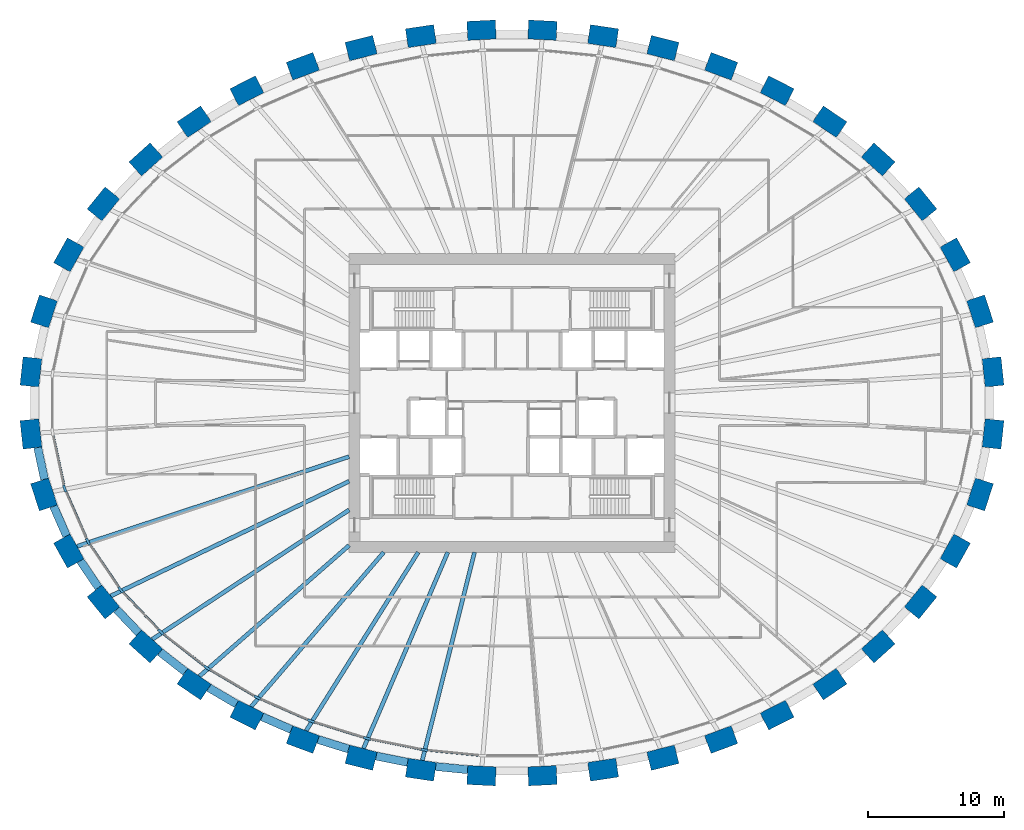
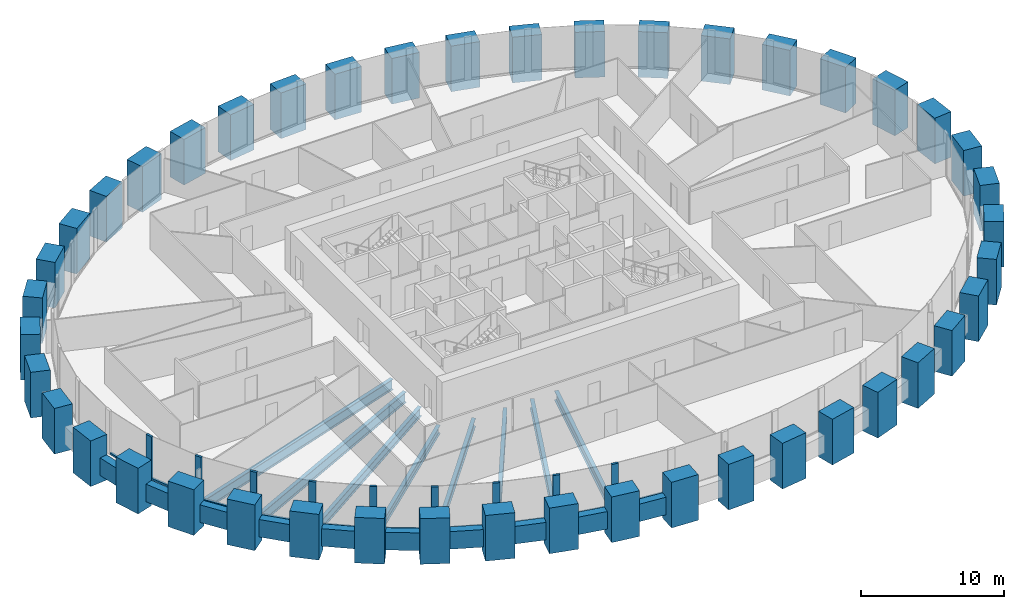
# One storey, part 1 of 11: 44 columns, 19 members, 18 beams, 1 element without a shape of its own.
"""IFC4 building model written with IfcOpenShell, lengths in metres."""

from ifc_helpers import new_model, si_unit, direction, frame, origin, origin_2d, place, context, subcontext, project, spatial, rectangle, i_section, extrude, source, transform, mapped, material, material_profile, profile_set, type_object, element, aggregate, save


model = new_model("IFC4")

# Units and contexts
model_context = context("Model", 3, precision=1e-05, world=origin(), true_north=direction((0.0, 1.0)))
body_context = subcontext(model_context, "Body", "Model", "MODEL_VIEW")
ifc_project = project(units=[si_unit("LENGTHUNIT", "METRE"), si_unit("AREAUNIT", "SQUARE_METRE"), si_unit("VOLUMEUNIT", "CUBIC_METRE"), si_unit("PLANEANGLEUNIT", "RADIAN"), si_unit("MASSUNIT", "GRAM", prefix="KILO")], contexts=[model_context])

# Site, building, storey
site_placement = place(None, origin())
site = spatial("IfcSite", under=ifc_project, at=site_placement, CompositionType="ELEMENT")
building_placement = place(site_placement, origin())
building = spatial("IfcBuilding", under=site, at=building_placement, Name="Embergate Tower", CompositionType="ELEMENT")
storey_placement = place(building_placement, frame((0.0, 0.0, 219.0)))
storey = spatial("IfcBuildingStorey", under=building, at=storey_placement, Name="L50", CompositionType="ELEMENT", Elevation=219.0)

# Columns
ifc_material_1 = material(Name="Concrete C60", Category="concrete")
ifc_material_profile_1 = material_profile(ifc_material_1, rectangle(XDim=1.39990234375, YDim=2.10009765625, at=origin_2d()), Name="RC 1400x2100")
ifc_profile_set_1 = profile_set([ifc_material_profile_1], Name="Concrete C60")
column_type = type_object("IfcColumnType", Name="Ring column RC 1400x2100 C60", PredefinedType="COLUMN", material=ifc_profile_set_1)
shared_shape_1 = source(origin(), body_context, "Body", "SweptSolid", [
    extrude(rectangle(XDim=1.39990234375, YDim=2.10009765625, at=origin_2d()), origin(), (0.0, 0.0, 1.0), 3.89990234375),
])
for number, where, z_axis, x_axis, name in (
    (1, (35.43701171875, 2.281982421875, -1.39990234375), (0.0, 0.0, 1.0), (0.99428589498, 0.106749983816, 0.0), "COL-L50-00"),
    (2, (34.47802734375, 6.739013671875, -1.39990234375), (0.0, 0.0, 1.0), (0.950754033697, 0.309946394413, 0.0), "COL-L50-01"),
    (3, (32.64990234375, 10.906982421875, -1.39990234375), (0.0, 0.0, 1.0), (0.873500465855, 0.486823311018, 0.0), "COL-L50-02"),
    (4, (30.097900390625, 14.659912109375, -1.39990234375), (0.0, 0.0, 1.0), (0.775925311702, 0.630824786022, 0.0), "COL-L50-03"),
    (5, (26.97509765625, 17.93603515625, -1.39990234375), (0.0, 0.0, 1.0), (0.669221393633, 0.743063070206, 0.0), "COL-L50-04"),
    (6, (23.4150390625, 20.714111328125, -1.39990234375), (0.0, 0.0, 1.0), (0.560393279442, 0.828226643109, 0.0), "COL-L50-05"),
    (7, (19.530029296875, 22.998046875, -1.39990234375), (0.0, 0.0, 1.0), (0.453010512651, 0.891505174089, 0.0), "COL-L50-06"),
    (8, (15.407958984375, 24.801025390625, -1.39990234375), (0.0, 0.0, 1.0), (0.348343015724, 0.93736713373, 0.0), "COL-L50-07"),
    (9, (11.115966796875, 26.137939453125, -1.39990234375), (0.0, 0.0, 1.0), (0.24650851817, 0.969140624713, 0.0), "COL-L50-08"),
    (10, (6.7119140625, 27.02099609375, -1.39990234375), (0.0, 0.0, 1.0), (0.146929011949, 0.989147039346, 0.0), "COL-L50-09"),
    (11, (2.243896484375, 27.4599609375, -1.39990234375), (0.0, 0.0, 1.0), (0.048814904854, 0.998807841912, 0.0), "COL-L50-10"),
    (12, (-2.243896484375, 27.4599609375, -1.39990234375), (0.0, 0.0, 1.0), (-0.048814904854, 0.998807841912, 0.0), "COL-L50-11"),
    (13, (-6.7119140625, 27.02099609375, -1.39990234375), (0.0, 0.0, 1.0), (-0.146929011949, 0.989147039346, 0.0), "COL-L50-12"),
    (14, (-11.115966796875, 26.137939453125, -1.39990234375), (0.0, 0.0, 1.0), (-0.24650851817, 0.969140624713, 0.0), "COL-L50-13"),
    (15, (-15.407958984375, 24.801025390625, -1.39990234375), (0.0, 0.0, 1.0), (-0.348343015724, 0.93736713373, 0.0), "COL-L50-14"),
    (16, (-19.530029296875, 22.998046875, -1.39990234375), (0.0, 0.0, 1.0), (-0.453010512651, 0.891505174089, 0.0), "COL-L50-15"),
    (17, (-23.4150390625, 20.714111328125, -1.39990234375), (0.0, 0.0, 1.0), (-0.560393279442, 0.828226643109, 0.0), "COL-L50-16"),
    (18, (-26.97509765625, 17.93603515625, -1.39990234375), (0.0, 0.0, 1.0), (-0.669221393633, 0.743063070206, 0.0), "COL-L50-17"),
    (19, (-30.097900390625, 14.659912109375, -1.39990234375), (0.0, 0.0, 1.0), (-0.775925311702, 0.630824786022, 0.0), "COL-L50-18"),
    (20, (-32.64990234375, 10.906982421875, -1.39990234375), (0.0, 0.0, 1.0), (-0.873500465855, 0.486823311018, 0.0), "COL-L50-19"),
    (21, (-34.47802734375, 6.739013671875, -1.39990234375), (0.0, 0.0, 1.0), (-0.950754033697, 0.309946394413, 0.0), "COL-L50-20"),
    (22, (-35.43701171875, 2.281982421875, -1.39990234375), (0.0, 0.0, 1.0), (-0.99428589498, 0.106749983816, 0.0), "COL-L50-21"),
    (23, (-35.43701171875, -2.281982421875, -1.39990234375), (0.0, 0.0, 1.0), (-0.99428589498, -0.106749983816, 0.0), "COL-L50-22"),
    (24, (-34.47802734375, -6.739013671875, -1.39990234375), (0.0, 0.0, 1.0), (-0.950754033697, -0.309946394413, 0.0), "COL-L50-23"),
    (25, (-32.64990234375, -10.906982421875, -1.39990234375), (0.0, 0.0, 1.0), (-0.873500465855, -0.486823311018, 0.0), "COL-L50-24"),
    (26, (-30.097900390625, -14.659912109375, -1.39990234375), (0.0, 0.0, 1.0), (-0.775925311702, -0.630824786022, 0.0), "COL-L50-25"),
    (27, (-26.97509765625, -17.93603515625, -1.39990234375), (0.0, 0.0, 1.0), (-0.669221393633, -0.743063070206, 0.0), "COL-L50-26"),
    (28, (-23.4150390625, -20.714111328125, -1.39990234375), (0.0, 0.0, 1.0), (-0.560393279442, -0.828226643109, 0.0), "COL-L50-27"),
    (29, (-19.530029296875, -22.998046875, -1.39990234375), (0.0, 0.0, 1.0), (-0.453010512651, -0.891505174089, 0.0), "COL-L50-28"),
    (30, (-15.407958984375, -24.801025390625, -1.39990234375), (0.0, 0.0, 1.0), (-0.348343015724, -0.93736713373, 0.0), "COL-L50-29"),
    (31, (-11.115966796875, -26.137939453125, -1.39990234375), (0.0, 0.0, 1.0), (-0.24650851817, -0.969140624713, 0.0), "COL-L50-30"),
    (32, (-6.7119140625, -27.02099609375, -1.39990234375), (0.0, 0.0, 1.0), (-0.146929011949, -0.989147039346, 0.0), "COL-L50-31"),
    (33, (-2.243896484375, -27.4599609375, -1.39990234375), (0.0, 0.0, 1.0), (-0.048814904854, -0.998807841912, 0.0), "COL-L50-32"),
    (34, (2.243896484375, -27.4599609375, -1.39990234375), (0.0, 0.0, 1.0), (0.048814904854, -0.998807841912, 0.0), "COL-L50-33"),
    (35, (6.7119140625, -27.02099609375, -1.39990234375), (0.0, 0.0, 1.0), (0.146929011949, -0.989147039346, 0.0), "COL-L50-34"),
    (36, (11.115966796875, -26.137939453125, -1.39990234375), (0.0, 0.0, 1.0), (0.24650851817, -0.969140624713, 0.0), "COL-L50-35"),
    (37, (15.407958984375, -24.801025390625, -1.39990234375), (0.0, 0.0, 1.0), (0.348343015724, -0.93736713373, 0.0), "COL-L50-36"),
    (38, (19.530029296875, -22.998046875, -1.39990234375), (0.0, 0.0, 1.0), (0.453010512651, -0.891505174089, 0.0), "COL-L50-37"),
    (39, (23.4150390625, -20.714111328125, -1.39990234375), (0.0, 0.0, 1.0), (0.560393279442, -0.828226643109, 0.0), "COL-L50-38"),
    (40, (26.97509765625, -17.93603515625, -1.39990234375), (0.0, 0.0, 1.0), (0.669221393633, -0.743063070206, 0.0), "COL-L50-39"),
    (41, (30.097900390625, -14.659912109375, -1.39990234375), (0.0, 0.0, 1.0), (0.775925311702, -0.630824786022, 0.0), "COL-L50-40"),
    (42, (32.64990234375, -10.906982421875, -1.39990234375), (0.0, 0.0, 1.0), (0.873500465855, -0.486823311018, 0.0), "COL-L50-41"),
    (43, (34.47802734375, -6.739013671875, -1.39990234375), (0.0, 0.0, 1.0), (0.950754033697, -0.309946394413, 0.0), "COL-L50-42"),
    (44, (35.43701171875, -2.281982421875, -1.39990234375), (0.0, 0.0, 1.0), (0.99428589498, -0.106749983816, 0.0), "COL-L50-43"),
):
    element("IfcColumn", number, at=place(storey_placement, frame(where, z_axis=z_axis, x_axis=x_axis)), inside=storey, type_object=column_type, Name=name, PredefinedType="COLUMN", context=body_context, shape_type="MappedRepresentation", body=[
        mapped(shared_shape_1, transform((0.0, 0.0, 0.0))),
    ])

# Beams
ifc_material_profile_2 = material_profile(ifc_material_1, rectangle(XDim=0.60009765625, YDim=1.5, at=origin_2d()), Name="RC 600x1500")
ifc_profile_set_2 = profile_set([ifc_material_profile_2], Name="Concrete C60")
beam_type_1 = type_object("IfcBeamType", Name="Spandrel beam RC 600x1500 C60", PredefinedType="BEAM", material=ifc_profile_set_2)
shared_shape_2 = source(origin(), body_context, "Body", "SweptSolid", [
    extrude(rectangle(XDim=0.60009765625, YDim=1.5, at=origin_2d()), origin(), (0.0, 0.0, 1.0), 2.3896484375),
])
beam_1_placement = place(storey_placement, frame((-34.93896484375, -3.284912109375, 0.0), z_axis=(0.21045693854, -0.977603128586, 0.0), x_axis=(0.977603128586, 0.21045693854, 0.0)))
element("IfcBeam", 45, at=beam_1_placement, inside=storey, type_object=beam_type_1, Name="SPN-L50-22", PredefinedType="BEAM", context=body_context, shape_type="MappedRepresentation", body=[
    mapped(shared_shape_2, transform((0.0, 0.0, 0.0))),
])
shared_shape_3 = source(origin(), body_context, "Body", "SweptSolid", [
    extrude(rectangle(XDim=0.60009765625, YDim=1.5, at=origin_2d()), origin(), (0.0, 0.0, 1.0), 2.3837890625),
])
beam_2_placement = place(storey_placement, frame((-33.77099609375, -7.613037109375, 0.0), z_axis=(0.401876968148, -0.915693672836, 0.0), x_axis=(0.915693672836, 0.401876968148, 0.0)))
element("IfcBeam", 46, at=beam_2_placement, inside=storey, type_object=beam_type_1, Name="SPN-L50-23", PredefinedType="BEAM", context=body_context, shape_type="MappedRepresentation", body=[
    mapped(shared_shape_3, transform((0.0, 0.0, 0.0))),
])
shared_shape_4 = source(origin(), body_context, "Body", "SweptSolid", [
    extrude(rectangle(XDim=0.60009765625, YDim=1.5, at=origin_2d()), origin(), (0.0, 0.0, 1.0), 2.379150390625),
])
beam_3_placement = place(storey_placement, frame((-31.797119140625, -11.633056640625, 0.0), z_axis=(0.562467199194, -0.826819599327, 0.0), x_axis=(0.826819599327, 0.562467199194, 0.0)))
element("IfcBeam", 47, at=beam_3_placement, inside=storey, type_object=beam_type_1, Name="SPN-L50-24", PredefinedType="BEAM", context=body_context, shape_type="MappedRepresentation", body=[
    mapped(shared_shape_4, transform((0.0, 0.0, 0.0))),
])
shared_shape_5 = source(origin(), body_context, "Body", "SweptSolid", [
    extrude(rectangle(XDim=0.60009765625, YDim=1.5, at=origin_2d()), origin(), (0.0, 0.0, 1.0), 2.370849609375),
])
beam_4_placement = place(storey_placement, frame((-29.1240234375, -15.220947265625, 0.0), z_axis=(0.690017631866, -0.723792558482, 0.0), x_axis=(0.723792558482, 0.690017631866, 0.0)))
element("IfcBeam", 48, at=beam_4_placement, inside=storey, type_object=beam_type_1, Name="SPN-L50-25", PredefinedType="BEAM", context=body_context, shape_type="MappedRepresentation", body=[
    mapped(shared_shape_5, transform((0.0, 0.0, 0.0))),
])
shared_shape_6 = source(origin(), body_context, "Body", "SweptSolid", [
    extrude(rectangle(XDim=0.60009765625, YDim=1.5, at=origin_2d()), origin(), (0.0, 0.0, 1.0), 2.366943359375),
])
beam_5_placement = place(storey_placement, frame((-25.931884765625, -18.345947265625, 0.0), z_axis=(0.788379233054, -0.615189552, 0.0), x_axis=(0.615189552, 0.788379233054, 0.0)))
element("IfcBeam", 49, at=beam_5_placement, inside=storey, type_object=beam_type_1, Name="SPN-L50-26", PredefinedType="BEAM", context=body_context, shape_type="MappedRepresentation", body=[
    mapped(shared_shape_6, transform((0.0, 0.0, 0.0))),
])
shared_shape_7 = source(origin(), body_context, "Body", "SweptSolid", [
    extrude(rectangle(XDim=0.60009765625, YDim=1.5, at=origin_2d()), origin(), (0.0, 0.0, 1.0), 2.36279296875),
])
beam_6_placement = place(storey_placement, frame((-22.3291015625, -20.98291015625, 0.0), z_axis=(0.862170527893, -0.50661818052, 0.0), x_axis=(0.50661818052, 0.862170527893, 0.0)))
element("IfcBeam", 50, at=beam_6_placement, inside=storey, type_object=beam_type_1, Name="SPN-L50-27", PredefinedType="BEAM", context=body_context, shape_type="MappedRepresentation", body=[
    mapped(shared_shape_7, transform((0.0, 0.0, 0.0))),
])
shared_shape_8 = source(origin(), body_context, "Body", "SweptSolid", [
    extrude(rectangle(XDim=0.60009765625, YDim=1.5, at=origin_2d()), origin(), (0.0, 0.0, 1.0), 2.357421875),
])
beam_7_placement = place(storey_placement, frame((-18.4130859375, -23.116943359375, 0.0), z_axis=(0.91630938503, -0.400471111201, 0.0), x_axis=(0.400471111201, 0.91630938503, 0.0)))
element("IfcBeam", 51, at=beam_7_placement, inside=storey, type_object=beam_type_1, Name="SPN-L50-28", PredefinedType="BEAM", context=body_context, shape_type="MappedRepresentation", body=[
    mapped(shared_shape_8, transform((0.0, 0.0, 0.0))),
])
shared_shape_9 = source(origin(), body_context, "Body", "SweptSolid", [
    extrude(rectangle(XDim=0.60009765625, YDim=1.5, at=origin_2d()), origin(), (0.0, 0.0, 1.0), 2.3564453125),
])
beam_8_placement = place(storey_placement, frame((-14.285888671875, -24.7958984375, 0.0), z_axis=(0.95483326256, -0.297142122073, 0.0), x_axis=(0.297142122073, 0.95483326256, 0.0)))
element("IfcBeam", 52, at=beam_8_placement, inside=storey, type_object=beam_type_1, Name="SPN-L50-29", PredefinedType="BEAM", context=body_context, shape_type="MappedRepresentation", body=[
    mapped(shared_shape_9, transform((0.0, 0.0, 0.0))),
])
shared_shape_10 = source(origin(), body_context, "Body", "SweptSolid", [
    extrude(rectangle(XDim=0.60009765625, YDim=1.5, at=origin_2d()), origin(), (0.0, 0.0, 1.0), 2.353515625),
])
beam_9_placement = place(storey_placement, frame((-10.0009765625, -26.01611328125, 0.0), z_axis=(0.980552738639, -0.196255768698, 0.0), x_axis=(0.196255768698, 0.980552738639, 0.0)))
element("IfcBeam", 53, at=beam_9_placement, inside=storey, type_object=beam_type_1, Name="SPN-L50-30", PredefinedType="BEAM", context=body_context, shape_type="MappedRepresentation", body=[
    mapped(shared_shape_10, transform((0.0, 0.0, 0.0))),
])
shared_shape_11 = source(origin(), body_context, "Body", "SweptSolid", [
    extrude(rectangle(XDim=0.60009765625, YDim=1.5, at=origin_2d()), origin(), (0.0, 0.0, 1.0), 2.353271484375),
])
beam_10_placement = place(storey_placement, frame((-5.615966796875, -26.7880859375, 0.0), z_axis=(0.99521330308, -0.097726564318, 0.0), x_axis=(0.097726564318, 0.99521330308, 0.0)))
element("IfcBeam", 54, at=beam_10_placement, inside=storey, type_object=beam_type_1, Name="SPN-L50-31", PredefinedType="BEAM", context=body_context, shape_type="MappedRepresentation", body=[
    mapped(shared_shape_11, transform((0.0, 0.0, 0.0))),
])
ifc_material_2 = material(Name="Steel Q355B", Category="steel")
ifc_material_profile_3 = material_profile(ifc_material_2, i_section(OverallWidth=0.300048828125, OverallDepth=0.89990234375, WebThickness=0.01611328125, FlangeThickness=0.028076171875, FilletRadius=0.028076171875, at=origin_2d()), Name="HN 900x300x16x28")
ifc_profile_set_3 = profile_set([ifc_material_profile_3], Name="Steel Q355 grade B")
beam_type_2 = type_object("IfcBeamType", Name="Radial girder HN 900x300x16x28", PredefinedType="BEAM", material=ifc_profile_set_3)
shared_shape_12 = source(origin(), body_context, "Body", "SweptSolid", [
    extrude(i_section(OverallWidth=0.300048828125, OverallDepth=0.89990234375, WebThickness=0.01611328125, FlangeThickness=0.028076171875, FilletRadius=0.028076171875, at=origin_2d()), origin(), (0.0, 0.0, 1.0), 21.100341796875),
])
beam_11_placement = place(storey_placement, frame((-32.0390625, -10.56591796875, -0.64990234375), z_axis=(0.949698867802, 0.313164590106, 0.0), x_axis=(-0.313164590106, 0.949698867802, 0.0)))
element("IfcBeam", 55, at=beam_11_placement, inside=storey, type_object=beam_type_2, Name="GIR-L50-24", PredefinedType="BEAM", context=body_context, shape_type="MappedRepresentation", body=[
    mapped(shared_shape_12, transform((0.0, 0.0, 0.0))),
])
shared_shape_13 = source(origin(), body_context, "Body", "SweptSolid", [
    extrude(i_section(OverallWidth=0.300048828125, OverallDepth=0.89990234375, WebThickness=0.01611328125, FlangeThickness=0.028076171875, FilletRadius=0.028076171875, at=origin_2d()), origin(), (0.0, 0.0, 1.0), 19.480712890625),
])
beam_12_placement = place(storey_placement, frame((-29.554931640625, -14.218017578125, -0.64990234375), z_axis=(0.901148212086, 0.433511130023, 0.0), x_axis=(-0.433511130023, 0.901148212086, 0.0)))
element("IfcBeam", 56, at=beam_12_placement, inside=storey, type_object=beam_type_2, Name="GIR-L50-25", PredefinedType="BEAM", context=body_context, shape_type="MappedRepresentation", body=[
    mapped(shared_shape_13, transform((0.0, 0.0, 0.0))),
])
ifc_material_profile_4 = material_profile(ifc_material_2, i_section(OverallWidth=0.300048828125, OverallDepth=0.800048828125, WebThickness=0.013916015625, FlangeThickness=0.02587890625, FilletRadius=0.028076171875, at=origin_2d()), Name="HN 800x300x14x26")
ifc_profile_set_4 = profile_set([ifc_material_profile_4], Name="Steel Q355 grade B")
beam_type_3 = type_object("IfcBeamType", Name="Radial girder HN 800x300x14x26", PredefinedType="BEAM", material=ifc_profile_set_4)
shared_shape_14 = source(origin(), body_context, "Body", "SweptSolid", [
    extrude(i_section(OverallWidth=0.300048828125, OverallDepth=0.800048828125, WebThickness=0.013916015625, FlangeThickness=0.02587890625, FilletRadius=0.028076171875, at=origin_2d()), origin(), (0.0, 0.0, 1.0), 17.3583984375),
])
beam_13_placement = place(storey_placement, frame((-26.507080078125, -17.416015625, -0.60009765625), z_axis=(0.835738306524, 0.549127929547, 0.0), x_axis=(-0.549127929547, 0.835738306524, 0.0)))
element("IfcBeam", 57, at=beam_13_placement, inside=storey, type_object=beam_type_3, Name="GIR-L50-26", PredefinedType="BEAM", context=body_context, shape_type="MappedRepresentation", body=[
    mapped(shared_shape_14, transform((0.0, 0.0, 0.0))),
])
ifc_material_profile_5 = material_profile(ifc_material_2, i_section(OverallWidth=0.300048828125, OverallDepth=0.699951171875, WebThickness=0.012939453125, FlangeThickness=0.02392578125, FilletRadius=0.01806640625, at=origin_2d()), Name="HN 700x300x13x24")
ifc_profile_set_5 = profile_set([ifc_material_profile_5], Name="Steel Q355 grade B")
beam_type_4 = type_object("IfcBeamType", Name="Radial girder HN 700x300x13x24", PredefinedType="BEAM", material=ifc_profile_set_5)
shared_shape_15 = source(origin(), body_context, "Body", "SweptSolid", [
    extrude(i_section(OverallWidth=0.300048828125, OverallDepth=0.699951171875, WebThickness=0.012939453125, FlangeThickness=0.02392578125, FilletRadius=0.01806640625, at=origin_2d()), origin(), (0.0, 0.0, 1.0), 14.643798828125),
])
beam_14_placement = place(storey_placement, frame((-23.02294921875, -20.134033203125, -0.550048828125), z_axis=(0.752743981282, 0.658313374195, 0.0), x_axis=(-0.658313374195, 0.752743981282, 0.0)))
element("IfcBeam", 58, at=beam_14_placement, inside=storey, type_object=beam_type_4, Name="GIR-L50-27", PredefinedType="BEAM", context=body_context, shape_type="MappedRepresentation", body=[
    mapped(shared_shape_15, transform((0.0, 0.0, 0.0))),
])
shared_shape_16 = source(origin(), body_context, "Body", "SweptSolid", [
    extrude(i_section(OverallWidth=0.300048828125, OverallDepth=0.699951171875, WebThickness=0.012939453125, FlangeThickness=0.02392578125, FilletRadius=0.01806640625, at=origin_2d()), origin(), (0.0, 0.0, 1.0), 14.991943359375),
])
beam_15_placement = place(storey_placement, frame((-19.212890625, -22.3740234375, -0.550048828125), z_axis=(0.651471048315, 0.758673495785, 0.0), x_axis=(-0.758673495785, 0.651471048315, 0.0)))
element("IfcBeam", 59, at=beam_15_placement, inside=storey, type_object=beam_type_4, Name="GIR-L50-28", PredefinedType="BEAM", context=body_context, shape_type="MappedRepresentation", body=[
    mapped(shared_shape_16, transform((0.0, 0.0, 0.0))),
])
shared_shape_17 = source(origin(), body_context, "Body", "SweptSolid", [
    extrude(i_section(OverallWidth=0.300048828125, OverallDepth=0.800048828125, WebThickness=0.013916015625, FlangeThickness=0.02587890625, FilletRadius=0.028076171875, at=origin_2d()), origin(), (0.0, 0.0, 1.0), 15.522216796875),
])
beam_16_placement = place(storey_placement, frame((-15.1640625, -24.14501953125, -0.60009765625), z_axis=(0.531827158809, 0.846852922976, 0.0), x_axis=(-0.846852922976, 0.531827158809, 0.0)))
element("IfcBeam", 60, at=beam_16_placement, inside=storey, type_object=beam_type_3, Name="GIR-L50-29", PredefinedType="BEAM", context=body_context, shape_type="MappedRepresentation", body=[
    mapped(shared_shape_17, transform((0.0, 0.0, 0.0))),
])
shared_shape_18 = source(origin(), body_context, "Body", "SweptSolid", [
    extrude(i_section(OverallWidth=0.300048828125, OverallDepth=0.800048828125, WebThickness=0.013916015625, FlangeThickness=0.02587890625, FilletRadius=0.028076171875, at=origin_2d()), origin(), (0.0, 0.0, 1.0), 15.739013671875),
])
beam_17_placement = place(storey_placement, frame((-10.943115234375, -25.4599609375, -0.60009765625), z_axis=(0.394883218824, 0.918731322799, 0.0), x_axis=(-0.918731322799, 0.394883218824, 0.0)))
element("IfcBeam", 61, at=beam_17_placement, inside=storey, type_object=beam_type_3, Name="GIR-L50-30", PredefinedType="BEAM", context=body_context, shape_type="MappedRepresentation", body=[
    mapped(shared_shape_18, transform((0.0, 0.0, 0.0))),
])
shared_shape_19 = source(origin(), body_context, "Body", "SweptSolid", [
    extrude(i_section(OverallWidth=0.300048828125, OverallDepth=0.800048828125, WebThickness=0.013916015625, FlangeThickness=0.02587890625, FilletRadius=0.028076171875, at=origin_2d()), origin(), (0.0, 0.0, 1.0), 15.8046875),
])
beam_18_placement = place(storey_placement, frame((-6.60888671875, -26.3291015625, -0.60009765625), z_axis=(0.243465990326, 0.969909434718, 0.0), x_axis=(-0.969909434718, 0.243465990326, 0.0)))
element("IfcBeam", 62, at=beam_18_placement, inside=storey, type_object=beam_type_3, Name="GIR-L50-31", PredefinedType="BEAM", context=body_context, shape_type="MappedRepresentation", body=[
    mapped(shared_shape_19, transform((0.0, 0.0, 0.0))),
])

# Curtain wall, members
ifc_material_3 = material(Name="Aluminium and glass", Category="aluminium")
curtain_wall_type = type_object("IfcCurtainWallType", Name="Recessed office glazing", PredefinedType="NOTDEFINED", material=ifc_material_3)
curtain_wall_placement = place(storey_placement, origin())
curtain_wall = element("IfcCurtainWall", 63, at=curtain_wall_placement, inside=storey, type_object=curtain_wall_type, Name="Recessed office glazing ring", ObjectType="RECESSED OFFICE GLAZING", PredefinedType="USERDEFINED")
ifc_material_4 = material(Name="Aluminium, thermally broken", Category="aluminium")
ifc_material_profile_6 = material_profile(ifc_material_4, rectangle(XDim=0.179931640625, YDim=0.52001953125, at=origin_2d()), Name="AL 520x180")
ifc_profile_set_6 = profile_set([ifc_material_profile_6], Name="Aluminium, thermally broken")
member_type_1 = type_object("IfcMemberType", Name="Office mullion", PredefinedType="MULLION", material=ifc_profile_set_6)
shared_shape_20 = source(origin(), body_context, "Body", "SweptSolid", [
    extrude(rectangle(XDim=0.179931640625, YDim=0.52001953125, at=origin_2d()), origin(), (0.0, 0.0, 1.0), 3.699951171875),
])
member_1_placement = place(storey_placement, frame((-32.953369140625, -6.307373046875, 0.0), z_axis=(0.0, 0.0, 1.0), x_axis=(0.951497261031, 0.307657215503, 0.0)))
member_1 = element("IfcMember", 64, at=member_1_placement, type_object=member_type_1, Name="CW mullion 24", PredefinedType="MULLION", context=body_context, shape_type="MappedRepresentation", body=[
    mapped(shared_shape_20, transform((0.0, 0.0, 0.0))),
])
member_2_placement = place(storey_placement, frame((-31.23583984375, -10.2236328125, 0.0), z_axis=(0.0, 0.0, 1.0), x_axis=(0.875001050883, 0.484121018914, 0.0)))
member_2 = element("IfcMember", 65, at=member_2_placement, type_object=member_type_1, Name="CW mullion 25", PredefinedType="MULLION", context=body_context, shape_type="MappedRepresentation", body=[
    mapped(shared_shape_20, transform((0.0, 0.0, 0.0))),
])
member_3_placement = place(storey_placement, frame((-28.826171875, -13.76708984375, 0.0), z_axis=(0.0, 0.0, 1.0), x_axis=(0.777872564355, 0.628422050555, 0.0)))
member_3 = element("IfcMember", 66, at=member_3_placement, type_object=member_type_1, Name="CW mullion 26", PredefinedType="MULLION", context=body_context, shape_type="MappedRepresentation", body=[
    mapped(shared_shape_20, transform((0.0, 0.0, 0.0))),
])
member_4_placement = place(storey_placement, frame((-25.86279296875, -16.87451171875, 0.0), z_axis=(0.0, 0.0, 1.0), x_axis=(0.671227827685, 0.741251106806, 0.0)))
member_4 = element("IfcMember", 67, at=member_4_placement, type_object=member_type_1, Name="CW mullion 27", PredefinedType="MULLION", context=body_context, shape_type="MappedRepresentation", body=[
    mapped(shared_shape_20, transform((0.0, 0.0, 0.0))),
])
member_5_placement = place(storey_placement, frame((-22.472412109375, -19.520751953125, 0.0), z_axis=(0.0, 0.0, 1.0), x_axis=(0.562219061911, 0.826988347211, 0.0)))
member_5 = element("IfcMember", 68, at=member_5_placement, type_object=member_type_1, Name="CW mullion 28", PredefinedType="MULLION", context=body_context, shape_type="MappedRepresentation", body=[
    mapped(shared_shape_20, transform((0.0, 0.0, 0.0))),
])
member_6_placement = place(storey_placement, frame((-18.759521484375, -21.70361328125, 0.0), z_axis=(0.0, 0.0, 1.0), x_axis=(0.454512935162, 0.89074013706, 0.0)))
member_6 = element("IfcMember", 69, at=member_6_placement, type_object=member_type_1, Name="CW mullion 29", PredefinedType="MULLION", context=body_context, shape_type="MappedRepresentation", body=[
    mapped(shared_shape_20, transform((0.0, 0.0, 0.0))),
])
member_7_placement = place(storey_placement, frame((-14.80908203125, -23.430908203125, 0.0), z_axis=(0.0, 0.0, 1.0), x_axis=(0.349504318111, 0.93693475313, 0.0)))
member_7 = element("IfcMember", 70, at=member_7_placement, type_object=member_type_1, Name="CW mullion 30", PredefinedType="MULLION", context=body_context, shape_type="MappedRepresentation", body=[
    mapped(shared_shape_20, transform((0.0, 0.0, 0.0))),
])
member_8_placement = place(storey_placement, frame((-10.689453125, -24.7138671875, 0.0), z_axis=(0.0, 0.0, 1.0), x_axis=(0.247313572481, 0.968935496752, 0.0)))
member_8 = element("IfcMember", 71, at=member_8_placement, type_object=member_type_1, Name="CW mullion 31", PredefinedType="MULLION", context=body_context, shape_type="MappedRepresentation", body=[
    mapped(shared_shape_20, transform((0.0, 0.0, 0.0))),
])
member_9_placement = place(storey_placement, frame((-6.456787109375, -25.562744140625, 0.0), z_axis=(0.0, 0.0, 1.0), x_axis=(0.14741410908, 0.98907486089, 0.0)))
member_9 = element("IfcMember", 72, at=member_9_placement, type_object=member_type_1, Name="CW mullion 32", PredefinedType="MULLION", context=body_context, shape_type="MappedRepresentation", body=[
    mapped(shared_shape_20, transform((0.0, 0.0, 0.0))),
])
ifc_material_profile_7 = material_profile(ifc_material_4, rectangle(XDim=0.179931640625, YDim=0.14990234375, at=origin_2d()), Name="AL 150x180")
ifc_profile_set_7 = profile_set([ifc_material_profile_7], Name="Aluminium, thermally broken")
member_type_2 = type_object("IfcMemberType", Name="Office sill transom", PredefinedType="USERDEFINED", material=ifc_profile_set_7)
shared_shape_21 = source(origin(), body_context, "Body", "SweptSolid", [
    extrude(rectangle(XDim=0.179931640625, YDim=0.14990234375, at=origin_2d()), origin(), (0.0, 0.0, 1.0), 3.74951171875),
])
member_10_placement = place(storey_placement, frame((-33.797119140625, -2.3876953125, 0.074951171875), z_axis=(0.210445024694, -0.977605693305, 0.0), x_axis=(0.977605693305, 0.210445024694, 0.0)))
member_10 = element("IfcMember", 73, at=member_10_placement, type_object=member_type_2, Name="CW transom 23.1", ObjectType="TRANSOM", PredefinedType="USERDEFINED", context=body_context, shape_type="MappedRepresentation", body=[
    mapped(shared_shape_21, transform((0.0, 0.0, 0.0))),
])
shared_shape_22 = source(origin(), body_context, "Body", "SweptSolid", [
    extrude(rectangle(XDim=0.179931640625, YDim=0.14990234375, at=origin_2d()), origin(), (0.0, 0.0, 1.0), 3.756591796875),
])
member_11_placement = place(storey_placement, frame((-32.848876953125, -6.54541015625, 0.074951171875), z_axis=(0.401647151286, -0.9157944998, 0.0), x_axis=(0.9157944998, 0.401647151286, 0.0)))
member_11 = element("IfcMember", 74, at=member_11_placement, type_object=member_type_2, Name="CW transom 24.1", ObjectType="TRANSOM", PredefinedType="USERDEFINED", context=body_context, shape_type="MappedRepresentation", body=[
    mapped(shared_shape_22, transform((0.0, 0.0, 0.0))),
])
shared_shape_23 = source(origin(), body_context, "Body", "SweptSolid", [
    extrude(rectangle(XDim=0.179931640625, YDim=0.14990234375, at=origin_2d()), origin(), (0.0, 0.0, 1.0), 3.764892578125),
])
member_12_placement = place(storey_placement, frame((-31.089599609375, -10.438720703125, 0.074951171875), z_axis=(0.562338399761, -0.826907204077, 0.0), x_axis=(0.826907204077, 0.562338399761, 0.0)))
member_12 = element("IfcMember", 75, at=member_12_placement, type_object=member_type_2, Name="CW transom 25.1", ObjectType="TRANSOM", PredefinedType="USERDEFINED", context=body_context, shape_type="MappedRepresentation", body=[
    mapped(shared_shape_23, transform((0.0, 0.0, 0.0))),
])
shared_shape_24 = source(origin(), body_context, "Body", "SweptSolid", [
    extrude(rectangle(XDim=0.179931640625, YDim=0.14990234375, at=origin_2d()), origin(), (0.0, 0.0, 1.0), 3.773681640625),
])
member_13_placement = place(storey_placement, frame((-28.646484375, -13.955322265625, 0.074951171875), z_axis=(0.690118677227, -0.723696214818, 0.0), x_axis=(0.723696214818, 0.690118677227, 0.0)))
member_13 = element("IfcMember", 76, at=member_13_placement, type_object=member_type_2, Name="CW transom 26.1", ObjectType="TRANSOM", PredefinedType="USERDEFINED", context=body_context, shape_type="MappedRepresentation", body=[
    mapped(shared_shape_24, transform((0.0, 0.0, 0.0))),
])
shared_shape_25 = source(origin(), body_context, "Body", "SweptSolid", [
    extrude(rectangle(XDim=0.179931640625, YDim=0.14990234375, at=origin_2d()), origin(), (0.0, 0.0, 1.0), 3.781005859375),
])
member_14_placement = place(storey_placement, frame((-25.657958984375, -17.034423828125, 0.074951171875), z_axis=(0.788315019644, -0.615271834073, 0.0), x_axis=(0.615271834073, 0.788315019644, 0.0)))
member_14 = element("IfcMember", 77, at=member_14_placement, type_object=member_type_2, Name="CW transom 27.1", ObjectType="TRANSOM", PredefinedType="USERDEFINED", context=body_context, shape_type="MappedRepresentation", body=[
    mapped(shared_shape_25, transform((0.0, 0.0, 0.0))),
])
shared_shape_26 = source(origin(), body_context, "Body", "SweptSolid", [
    extrude(rectangle(XDim=0.179931640625, YDim=0.14990234375, at=origin_2d()), origin(), (0.0, 0.0, 1.0), 3.786865234375),
])
member_15_placement = place(storey_placement, frame((-22.248046875, -19.652587890625, 0.074951171875), z_axis=(0.862071738168, -0.506786264862, 0.0), x_axis=(0.506786264862, 0.862071738168, 0.0)))
member_15 = element("IfcMember", 78, at=member_15_placement, type_object=member_type_2, Name="CW transom 28.1", ObjectType="TRANSOM", PredefinedType="USERDEFINED", context=body_context, shape_type="MappedRepresentation", body=[
    mapped(shared_shape_26, transform((0.0, 0.0, 0.0))),
])
shared_shape_27 = source(origin(), body_context, "Body", "SweptSolid", [
    extrude(rectangle(XDim=0.179931640625, YDim=0.14990234375, at=origin_2d()), origin(), (0.0, 0.0, 1.0), 3.79150390625),
])
member_16_placement = place(storey_placement, frame((-18.521240234375, -21.807861328125, 0.074951171875), z_axis=(0.916232688924, -0.400646552146, 0.0), x_axis=(0.400646552146, 0.916232688924, 0.0)))
member_16 = element("IfcMember", 79, at=member_16_placement, type_object=member_type_2, Name="CW transom 29.1", ObjectType="TRANSOM", PredefinedType="USERDEFINED", context=body_context, shape_type="MappedRepresentation", body=[
    mapped(shared_shape_27, transform((0.0, 0.0, 0.0))),
])
shared_shape_28 = source(origin(), body_context, "Body", "SweptSolid", [
    extrude(rectangle(XDim=0.179931640625, YDim=0.14990234375, at=origin_2d()), origin(), (0.0, 0.0, 1.0), 3.794677734375),
])
member_17_placement = place(storey_placement, frame((-14.560791015625, -23.50830078125, 0.074951171875), z_axis=(0.954763453415, -0.297366353213, 0.0), x_axis=(0.297366353213, 0.954763453415, 0.0)))
member_17 = element("IfcMember", 80, at=member_17_placement, type_object=member_type_2, Name="CW transom 30.1", ObjectType="TRANSOM", PredefinedType="USERDEFINED", context=body_context, shape_type="MappedRepresentation", body=[
    mapped(shared_shape_28, transform((0.0, 0.0, 0.0))),
])
shared_shape_29 = source(origin(), body_context, "Body", "SweptSolid", [
    extrude(rectangle(XDim=0.179931640625, YDim=0.14990234375, at=origin_2d()), origin(), (0.0, 0.0, 1.0), 3.797119140625),
])
member_18_placement = place(storey_placement, frame((-10.4345703125, -24.76513671875, 0.074951171875), z_axis=(0.980479151748, -0.196623073385, 0.0), x_axis=(0.196623073385, 0.980479151748, 0.0)))
member_18 = element("IfcMember", 81, at=member_18_placement, type_object=member_type_2, Name="CW transom 31.1", ObjectType="TRANSOM", PredefinedType="USERDEFINED", context=body_context, shape_type="MappedRepresentation", body=[
    mapped(shared_shape_29, transform((0.0, 0.0, 0.0))),
])
shared_shape_30 = source(origin(), body_context, "Body", "SweptSolid", [
    extrude(rectangle(XDim=0.179931640625, YDim=0.14990234375, at=origin_2d()), origin(), (0.0, 0.0, 1.0), 3.798095703125),
])
member_19_placement = place(storey_placement, frame((-6.197998046875, -25.58837890625, 0.074951171875), z_axis=(0.995202542426, -0.097836085104, 0.0), x_axis=(0.097836085104, 0.995202542426, 0.0)))
member_19 = element("IfcMember", 82, at=member_19_placement, type_object=member_type_2, Name="CW transom 32.1", ObjectType="TRANSOM", PredefinedType="USERDEFINED", context=body_context, shape_type="MappedRepresentation", body=[
    mapped(shared_shape_30, transform((0.0, 0.0, 0.0))),
])
aggregate(curtain_wall, [member_1, member_2, member_3, member_4, member_5, member_6, member_7, member_8, member_9, member_10, member_11, member_12, member_13, member_14, member_15, member_16, member_17, member_18, member_19])

save(model, "model.ifc")
